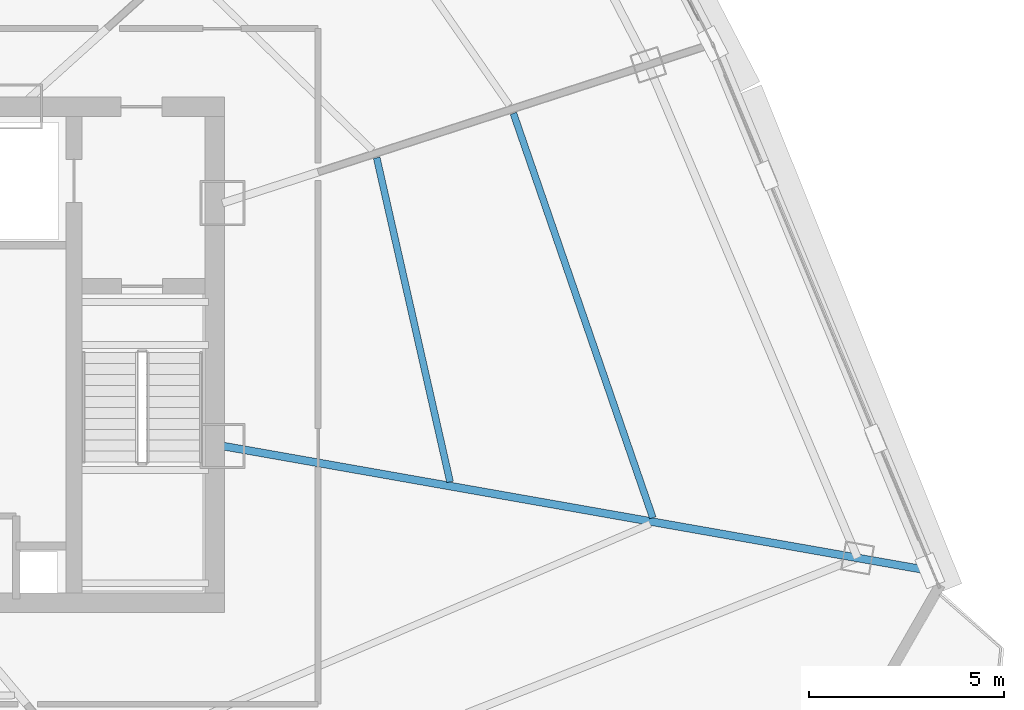
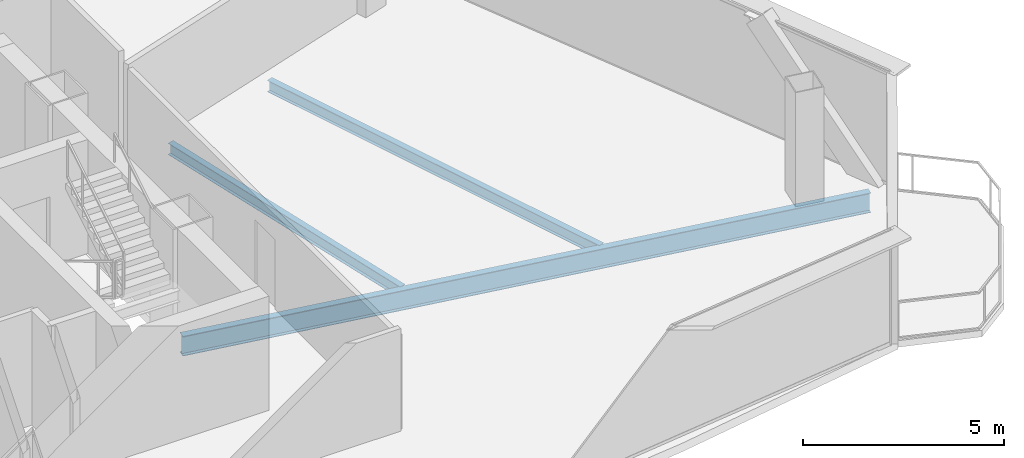
# One storey, part 14 of 35: 3 beams.
"""IFC4 building model written with IfcOpenShell, lengths in metres."""

from ifc_helpers import new_model, si_unit, direction, frame, origin, origin_2d, place, context, subcontext, project, spatial, i_section, extrude, source, transform, mapped, material, material_profile, profile_set, type_object, element, save


model = new_model("IFC4")

# Units and contexts
model_context = context("Model", 3, precision=1e-05, world=origin(), true_north=direction((0.0, 1.0)))
body_context = subcontext(model_context, "Body", "Model", "MODEL_VIEW")
ifc_project = project(units=[si_unit("LENGTHUNIT", "METRE"), si_unit("AREAUNIT", "SQUARE_METRE"), si_unit("VOLUMEUNIT", "CUBIC_METRE"), si_unit("PLANEANGLEUNIT", "RADIAN"), si_unit("MASSUNIT", "GRAM", prefix="KILO"), si_unit("THERMODYNAMICTEMPERATUREUNIT", "KELVIN"), si_unit("POWERUNIT", "WATT")], contexts=[model_context])

# Site, building, storey
site_placement = place(None, origin())
site = spatial("IfcSite", under=ifc_project, at=site_placement, CompositionType="ELEMENT")
building_placement = place(site_placement, origin())
building = spatial("IfcBuilding", under=site, at=building_placement, Name="Yunzhuo Pagoda Commons", CompositionType="ELEMENT")
storey_placement = place(building_placement, frame((0.0, 0.0, 303.669921875)))
storey = spatial("IfcBuildingStorey", under=building, at=storey_placement, Name="L76", CompositionType="ELEMENT", Elevation=303.669921875)

# Beams
ifc_material = material(Name="Structural steel Q355B", Category="steel")
ifc_material_profile_1 = material_profile(ifc_material, i_section(OverallWidth=0.175048828125, OverallDepth=0.35009765625, WebThickness=0.007080078125, FlangeThickness=0.010986328125, at=origin_2d()), Name="Structural steel Q355B")
ifc_profile_set_1 = profile_set([ifc_material_profile_1], Name="Structural steel Q355B")
beam_type_1 = type_object("IfcBeamType", Name="B-JS2 Joist HN 350x175x7x11", PredefinedType="JOIST", material=ifc_profile_set_1)
shared_shape_1 = source(origin(), body_context, "Body", "SweptSolid", [
    extrude(i_section(OverallWidth=0.175048828125, OverallDepth=0.35009765625, WebThickness=0.007080078125, FlangeThickness=0.010986328125, at=origin_2d()), origin(), (0.0, 0.0, 1.0), 8.508544921875),
])
beam_1_placement = place(storey_placement, frame((66.228759765625, 30.593505859375, -0.434814453125), z_axis=(-0.220769003385, 0.975326123481, 0.0), x_axis=(-0.975326123481, -0.220769003385, 0.0)))
element("IfcBeam", 1, at=beam_1_placement, inside=storey, type_object=beam_type_1, Name="L76 composite ring joist 1.5", PredefinedType="JOIST", context=body_context, shape_type="MappedRepresentation", body=[
    mapped(shared_shape_1, transform((0.0, 0.0, 0.0), scale=1.0)),
])
shared_shape_2 = source(origin(), body_context, "Body", "SweptSolid", [
    extrude(i_section(OverallWidth=0.175048828125, OverallDepth=0.35009765625, WebThickness=0.007080078125, FlangeThickness=0.010986328125, at=origin_2d()), origin(), (0.0, 0.0, 1.0), 10.954345703125),
])
beam_2_placement = place(storey_placement, frame((71.42041015625, 29.672607421875, -0.434814453125), z_axis=(-0.325839571137, 0.945425075763, 0.0), x_axis=(-0.945425075763, -0.325839571137, 0.0)))
element("IfcBeam", 2, at=beam_2_placement, inside=storey, type_object=beam_type_1, Name="L76 composite ring joist 2.5", PredefinedType="JOIST", context=body_context, shape_type="MappedRepresentation", body=[
    mapped(shared_shape_2, transform((0.0, 0.0, 0.0), scale=1.0)),
])
ifc_material_profile_2 = material_profile(ifc_material, i_section(OverallWidth=0.199951171875, OverallDepth=0.60009765625, WebThickness=0.010986328125, FlangeThickness=0.01708984375, at=origin_2d()), Name="Structural steel Q355B")
ifc_profile_set_2 = profile_set([ifc_material_profile_2], Name="Structural steel Q355B")
beam_type_2 = type_object("IfcBeamType", Name="B-RG3 Beam HN 600x200x11x17", PredefinedType="BEAM", material=ifc_profile_set_2)
shared_shape_3 = source(origin(), body_context, "Body", "SweptSolid", [
    extrude(i_section(OverallWidth=0.199951171875, OverallDepth=0.60009765625, WebThickness=0.010986328125, FlangeThickness=0.01708984375, at=origin_2d()), origin(), (0.0, 0.0, 1.0), 18.23828125),
])
beam_3_placement = place(storey_placement, frame((78.361083984375, 28.3466796875, -0.559814453125), z_axis=(-0.984810499087, 0.173632603184, 0.0), x_axis=(-0.173632603184, -0.984810499087, 0.0)))
element("IfcBeam", 3, at=beam_3_placement, inside=storey, type_object=beam_type_2, Name="L76 radial floor girder F2C1", PredefinedType="BEAM", context=body_context, shape_type="MappedRepresentation", body=[
    mapped(shared_shape_3, transform((0.0, 0.0, 0.0), scale=1.0)),
])

save(model, "model.ifc")
